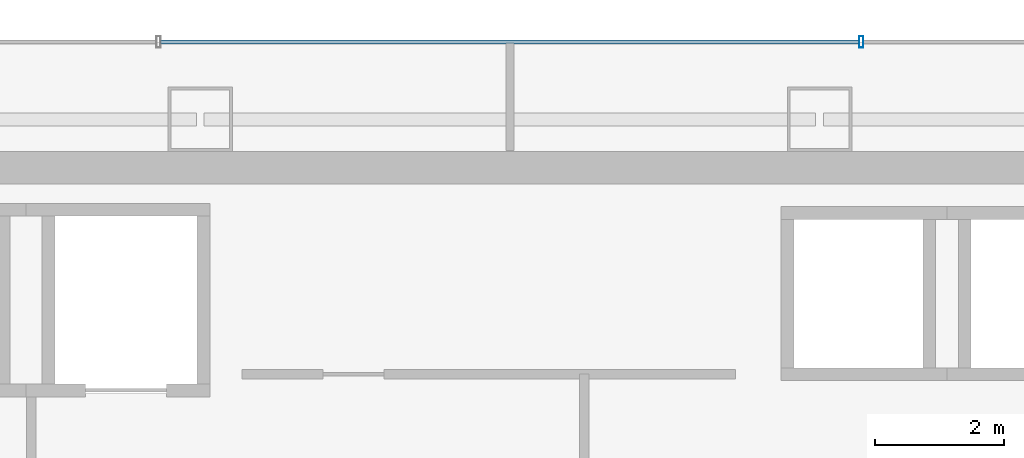
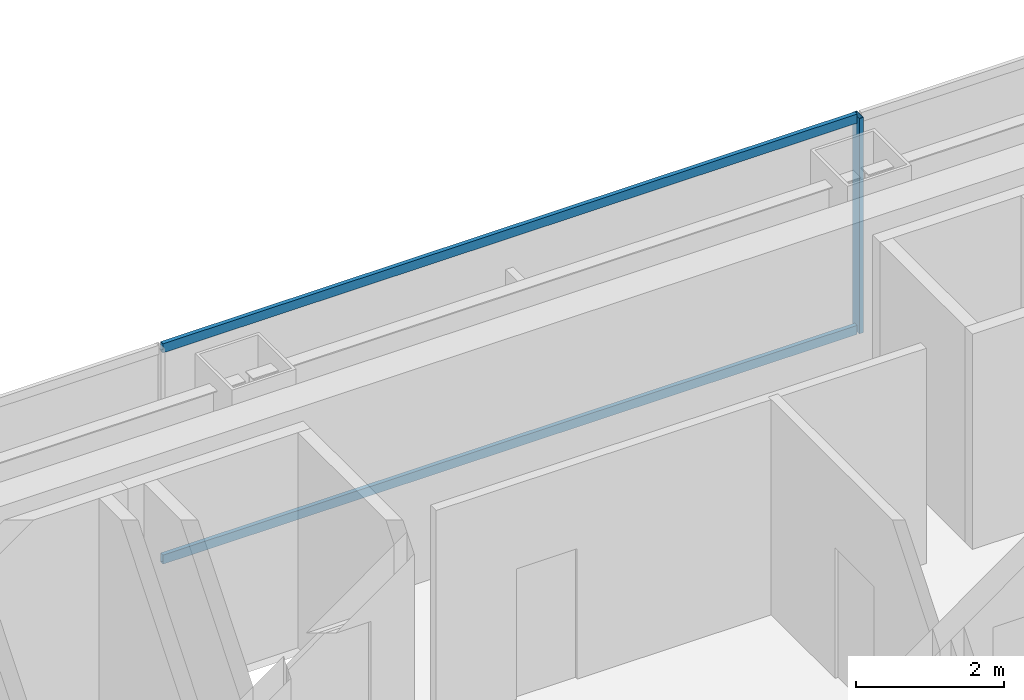
# One storey, part 24 of 37: 3 members, 1 element without a shape of its own.
"""IFC4 building model written with IfcOpenShell, lengths in metres."""

from ifc_helpers import new_model, si_unit, direction, frame, origin, origin_2d, place, context, subcontext, project, spatial, hollow_rectangle, extrude, material, material_profile, profile_set, type_object, element, aggregate, save


model = new_model("IFC4")

# Units and contexts
model_context = context("Model", 3, precision=1e-05, world=origin(), true_north=direction((0.0, 1.0)))
body_context = subcontext(model_context, "Body", "Model", "MODEL_VIEW")
ifc_project = project(units=[si_unit("LENGTHUNIT", "METRE"), si_unit("AREAUNIT", "SQUARE_METRE"), si_unit("VOLUMEUNIT", "CUBIC_METRE"), si_unit("PLANEANGLEUNIT", "RADIAN"), si_unit("MASSUNIT", "GRAM", prefix="KILO")], contexts=[model_context])

# Site, building, storey
site_placement = place(None, origin())
site = spatial("IfcSite", under=ifc_project, at=site_placement, CompositionType="ELEMENT")
building_placement = place(site_placement, origin())
building = spatial("IfcBuilding", under=site, at=building_placement, Name="Saevonmaru Cultural Tower", CompositionType="ELEMENT")
storey_placement = place(building_placement, frame((0.0, 0.0, 144.800048828125)))
storey = spatial("IfcBuildingStorey", under=building, at=storey_placement, Name="L31", CompositionType="ELEMENT", Elevation=144.800048828125)

# Curtain wall, members
ifc_material = material(Name="Satin Bronze Anodised Aluminium", Category="aluminium")
curtain_wall_type = type_object("IfcCurtainWallType", Name="CW-TYP-A", PredefinedType="NOTDEFINED", material=ifc_material)
curtain_wall_placement = place(storey_placement, origin())
curtain_wall = element("IfcCurtainWall", 1, at=curtain_wall_placement, inside=storey, type_object=curtain_wall_type, Name="L31 North Spine Unitised Curtain Wall E10B", PredefinedType="NOTDEFINED")
ifc_material_profile_1 = material_profile(ifc_material, hollow_rectangle(XDim=0.06494140625, YDim=0.179931640625, WallThickness=0.00390625, at=origin_2d()), Name="ALU-MULL-180x65x4")
ifc_profile_set_1 = profile_set([ifc_material_profile_1], Name="Satin Bronze Anodised Aluminium")
member_type_1 = type_object("IfcMemberType", Name="ML-CW-180x65", PredefinedType="MULLION", material=ifc_profile_set_1)
member_1_placement = place(storey_placement, frame((35.44677734375, 56.0, 0.0), z_axis=(0.0, 0.0, 1.0), x_axis=(-1.0, 0.0, 0.0)))
member_1 = element("IfcMember", 2, at=member_1_placement, type_object=member_type_1, Name="CW-TW-L31-E10B mullion 2", PredefinedType="MULLION", context=body_context, shape_type="SweptSolid", body=[
    extrude(hollow_rectangle(XDim=0.06494140625, YDim=0.179931640625, WallThickness=0.00390625, at=origin_2d()), origin(), (0.0, 0.0, 1.0), 3.550048828125),
])
ifc_material_profile_2 = material_profile(ifc_material, hollow_rectangle(XDim=0.06494140625, YDim=0.14990234375, WallThickness=0.00390625, at=origin_2d()), Name="ALU-TRAN-150x65x4")
ifc_profile_set_2 = profile_set([ifc_material_profile_2], Name="Satin Bronze Anodised Aluminium")
member_type_2 = type_object("IfcMemberType", Name="TR-CW-150x65", PredefinedType="USERDEFINED", material=ifc_profile_set_2)
member_2_placement = place(storey_placement, frame((35.4140625, 56.0, 0.032470703125), z_axis=(-1.0, 0.0, 0.0), x_axis=(0.0, -1.0, 0.0)))
member_2 = element("IfcMember", 3, at=member_2_placement, type_object=member_type_2, Name="CW-TW-L31-E10B transom 2.1", ObjectType="TRANSOM", PredefinedType="USERDEFINED", context=body_context, shape_type="SweptSolid", body=[
    extrude(hollow_rectangle(XDim=0.06494140625, YDim=0.14990234375, WallThickness=0.00390625, at=origin_2d()), origin(), (0.0, 0.0, 1.0), 10.828125),
])
member_3_placement = place(storey_placement, frame((35.4140625, 56.0, 3.517333984375), z_axis=(-1.0, 0.0, 0.0), x_axis=(0.0, -1.0, 0.0)))
member_3 = element("IfcMember", 4, at=member_3_placement, type_object=member_type_2, Name="CW-TW-L31-E10B transom 2.2", ObjectType="TRANSOM", PredefinedType="USERDEFINED", context=body_context, shape_type="SweptSolid", body=[
    extrude(hollow_rectangle(XDim=0.06494140625, YDim=0.14990234375, WallThickness=0.00390625, at=origin_2d()), origin(), (0.0, 0.0, 1.0), 10.828125),
])
aggregate(curtain_wall, [member_1, member_2, member_3])

save(model, "model.ifc")
